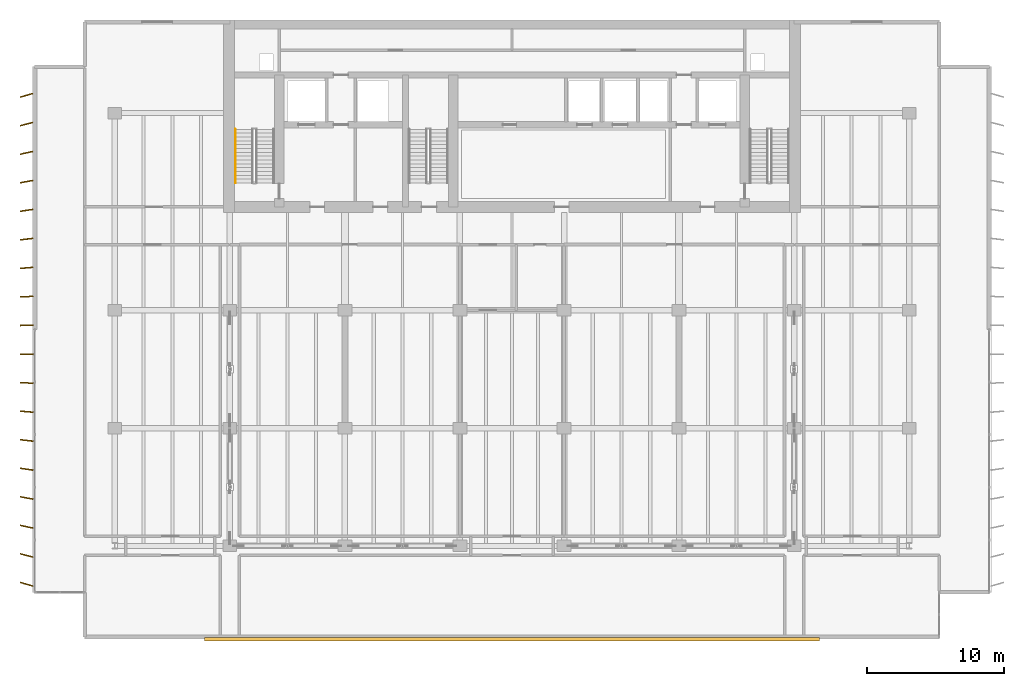
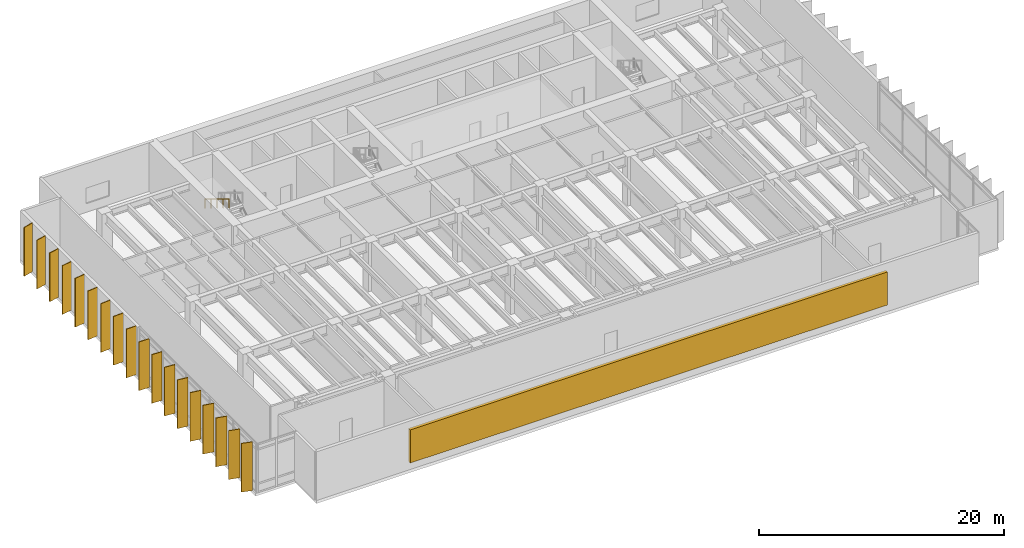
# One storey, part 16 of 18: 19 shading devices, 1 railing.
"""IFC4 building model written with IfcOpenShell, lengths in metres."""

from ifc_helpers import new_model, si_unit, direction, frame, origin, origin_2d, place, context, subcontext, project, spatial, rectangle, circle, extrude, material, layer, layer_set, material_profile, profile_set, type_object, element, save


model = new_model("IFC4")

# Units and contexts
model_context = context("Model", 3, precision=1e-05, world=origin(), true_north=direction((0.0, 1.0)))
body_context = subcontext(model_context, "Body", "Model", "MODEL_VIEW")
ifc_project = project(units=[si_unit("LENGTHUNIT", "METRE"), si_unit("AREAUNIT", "SQUARE_METRE"), si_unit("VOLUMEUNIT", "CUBIC_METRE"), si_unit("PLANEANGLEUNIT", "RADIAN"), si_unit("MASSUNIT", "GRAM", prefix="KILO")], contexts=[model_context])

# Site, building, storey
site_placement = place(None, origin())
site = spatial("IfcSite", under=ifc_project, at=site_placement, CompositionType="ELEMENT")
building_placement = place(site_placement, origin())
building = spatial("IfcBuilding", under=site, at=building_placement, Name="Caelmar Bay Residences", CompositionType="ELEMENT")
storey_placement = place(building_placement, frame((0.0, 0.0, 152.10009765625)))
storey = spatial("IfcBuildingStorey", under=building, at=storey_placement, Name="L42", CompositionType="ELEMENT", Elevation=152.10009765625)

# Railing
ifc_material_1 = material(Name="Brushed bronze stainless-steel tubular handrail 900 mm", Category="steel")
railing_type = type_object("IfcRailingType", Name="RL-HND-900", PredefinedType="HANDRAIL", material=ifc_material_1)
railing_placement = place(storey_placement, frame((18.699951171875, 42.6201171875, 2.719970703125)))
element("IfcRailing", 1, at=railing_placement, inside=storey, type_object=railing_type, Name="L42 ST1 stair handrail 2", PredefinedType="HANDRAIL", context=body_context, shape_type="SweptSolid", body=[
    extrude(circle(Radius=0.02392578125, at=origin_2d()), frame((0.0, 0.0, 0.8759765625), z_axis=(0.0, -0.854808600491, 0.518943403973), x_axis=(1.0, 0.0, 0.0)), (0.0, 0.0, 1.0), 4.5859375),
    extrude(circle(Radius=0.02099609375, at=origin_2d()), origin(), (0.0, 0.0, 1.0), 0.851806640625),
    extrude(circle(Radius=0.02099609375, at=origin_2d()), frame((0.0, -0.97998046875, 0.594970703125)), (0.0, 0.0, 1.0), 0.851806640625),
    extrude(circle(Radius=0.02099609375, at=origin_2d()), frame((0.0, -1.9599609375, 1.18994140625)), (0.0, 0.0, 1.0), 0.851806640625),
    extrude(circle(Radius=0.02099609375, at=origin_2d()), frame((0.0, -2.940185546875, 1.784912109375)), (0.0, 0.0, 1.0), 0.851806640625),
    extrude(circle(Radius=0.02099609375, at=origin_2d()), frame((0.0, -3.920166015625, 2.3798828125)), (0.0, 0.0, 1.0), 0.851806640625),
])

# Shading devices
ifc_material_2 = material(Name="Anodised architectural bronze aluminium 6063-T6", Category="aluminium")
ifc_material_profile = material_profile(ifc_material_2, rectangle(XDim=0.074951171875, YDim=0.949951171875, at=origin_2d()), Name="BRONZE-FIN-75X950")
ifc_profile_set = profile_set([ifc_material_profile], Name="Anodised architectural bronze aluminium 6063-T6")
shading_device_type_1 = type_object("IfcShadingDeviceType", Name="SHD-FIN-950", PredefinedType="USERDEFINED", material=ifc_profile_set)
for number, where, z_axis, x_axis, name in (
    (2, (3.449951171875, 9.39990234375, 0.0), (0.0, 0.0, 1.0), (0.275637355817, 0.961261695938, 0.0), "L42 West Bronze Solar Fin 1"),
    (3, (3.449951171875, 11.5, 0.0), (0.0, 0.0, 1.0), (0.243953546137, 0.969786918517, 0.0), "L42 West Bronze Solar Fin 2"),
    (4, (3.449951171875, 13.60009765625, 0.0), (0.0, 0.0, 1.0), (0.212007109922, 0.977268123568, 0.0), "L42 West Bronze Solar Fin 3"),
    (5, (3.449951171875, 15.699951171875, 0.0), (0.0, 0.0, 1.0), (0.179660748593, 0.98372862895, 0.0), "L42 West Bronze Solar Fin 4"),
    (6, (3.449951171875, 17.800048828125, 0.0), (0.0, 0.0, 1.0), (0.147291543397, 0.989093120613, 0.0), "L42 West Bronze Solar Fin 5"),
    (7, (3.449951171875, 19.89990234375, 0.0), (0.0, 0.0, 1.0), (0.114763772489, 0.993392810787, 0.0), "L42 West Bronze Solar Fin 6"),
    (8, (3.449951171875, 22.0, 0.0), (0.0, 0.0, 1.0), (0.08211245342, 0.996623070671, 0.0), "L42 West Bronze Solar Fin 7"),
    (9, (3.449951171875, 24.10009765625, 0.0), (0.0, 0.0, 1.0), (0.049198415926, 0.998789024705, 0.0), "L42 West Bronze Solar Fin 8"),
    (10, (3.449951171875, 26.199951171875, 0.0), (0.0, 0.0, 1.0), (0.016405359001, 0.999865423043, 0.0), "L42 West Bronze Solar Fin 9"),
    (11, (3.449951171875, 28.300048828125, 0.0), (0.0, 0.0, 1.0), (-0.016405359001, 0.999865423043, 0.0), "L42 West Bronze Solar Fin 10"),
    (12, (3.449951171875, 30.39990234375, 0.0), (0.0, 0.0, 1.0), (-0.049198415926, 0.998789024705, 0.0), "L42 West Bronze Solar Fin 11"),
    (13, (3.449951171875, 32.5, 0.0), (0.0, 0.0, 1.0), (-0.08211245342, 0.996623070671, 0.0), "L42 West Bronze Solar Fin 12"),
    (14, (3.449951171875, 34.60009765625, 0.0), (0.0, 0.0, 1.0), (-0.114763772489, 0.993392810787, 0.0), "L42 West Bronze Solar Fin 13"),
    (15, (3.449951171875, 36.699951171875, 0.0), (0.0, 0.0, 1.0), (-0.147291543397, 0.989093120613, 0.0), "L42 West Bronze Solar Fin 14"),
    (16, (3.449951171875, 38.800048828125, 0.0), (0.0, 0.0, 1.0), (-0.179660748593, 0.98372862895, 0.0), "L42 West Bronze Solar Fin 15"),
    (17, (3.449951171875, 40.89990234375, 0.0), (0.0, 0.0, 1.0), (-0.212007109922, 0.977268123568, 0.0), "L42 West Bronze Solar Fin 16"),
    (18, (3.449951171875, 43.0, 0.0), (0.0, 0.0, 1.0), (-0.243953546137, 0.969786918517, 0.0), "L42 West Bronze Solar Fin 17"),
    (19, (3.449951171875, 45.10009765625, 0.0), (0.0, 0.0, 1.0), (-0.275637355817, 0.961261695938, 0.0), "L42 West Bronze Solar Fin 18"),
):
    element("IfcShadingDevice", number, at=place(storey_placement, frame(where, z_axis=z_axis, x_axis=x_axis)), inside=storey, type_object=shading_device_type_1, Name=name, ObjectType="FIN", PredefinedType="USERDEFINED", context=body_context, shape_type="SweptSolid", body=[
        extrude(rectangle(XDim=0.074951171875, YDim=0.949951171875, at=origin_2d()), origin(), (0.0, 0.0, 1.0), 4.849853515625),
    ])
ifc_layer = layer(ifc_material_2, 0.219970703125)
ifc_layer_set = layer_set([ifc_layer], Name="Anodised architectural bronze aluminium 6063-T6")
shading_device_type_2 = type_object("IfcShadingDeviceType", Name="SHD-LVR-300", PredefinedType="JALOUSIE", material=ifc_layer_set)
shading_device_placement = place(storey_placement, frame((38.89990234375, 5.3798828125, 0.77587890625), z_axis=(0.0, 0.0, 1.0), x_axis=(1.0, 0.0, 0.0)))
element("IfcShadingDevice", 20, at=shading_device_placement, inside=storey, type_object=shading_device_type_2, Name="L42 South Acoustic Storm Louvre", PredefinedType="JALOUSIE", context=body_context, shape_type="SweptSolid", body=[
    extrude(rectangle(XDim=44.927978515625, YDim=0.280029296875, at=origin_2d()), origin(), (0.0, 0.0, 1.0), 3.298095703125),
])

save(model, "model.ifc")
